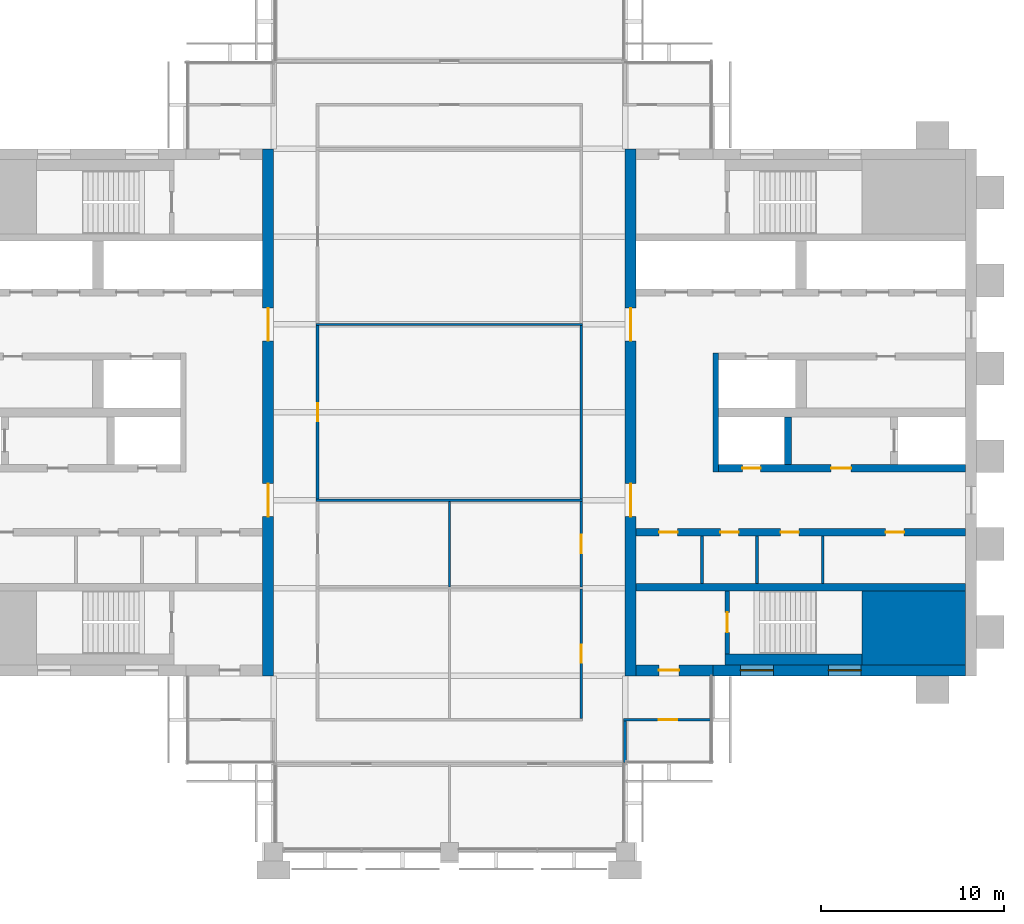
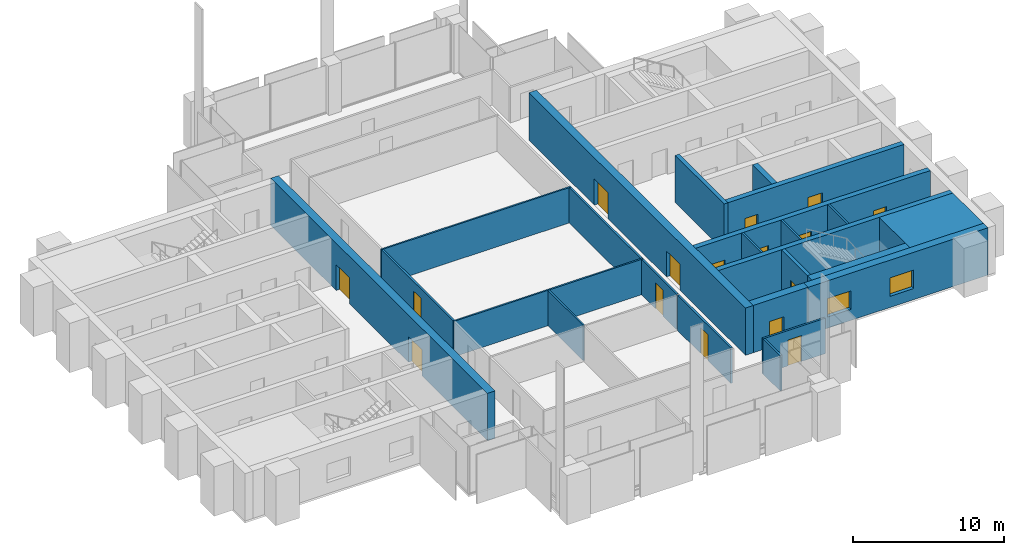
# One storey, part 9 of 12: 24 walls, 16 doors, 2 windows, 18 openings.
"""IFC4 building model written with IfcOpenShell, lengths in metres."""

from ifc_helpers import new_model, si_unit, direction, frame, frame_2d, origin, place, context, subcontext, project, spatial, rectangle, extrude, material, layer, layer_set, type_object, element, fill, save


model = new_model("IFC4")

# Units and contexts
model_context = context("Model", 3, precision=1e-05, world=origin(), true_north=direction((0.0, 1.0)))
body_context = subcontext(model_context, "Body", "Model", "MODEL_VIEW")
ifc_project = project(units=[si_unit("LENGTHUNIT", "METRE"), si_unit("AREAUNIT", "SQUARE_METRE"), si_unit("VOLUMEUNIT", "CUBIC_METRE"), si_unit("PLANEANGLEUNIT", "RADIAN"), si_unit("MASSUNIT", "GRAM", prefix="KILO")], contexts=[model_context])

# Site, building, storey
site_placement = place(None, origin())
site = spatial("IfcSite", under=ifc_project, at=site_placement, CompositionType="ELEMENT")
building_placement = place(site_placement, origin())
building = spatial("IfcBuilding", under=site, at=building_placement, Name="Baori Bourse Tower", CompositionType="ELEMENT")
storey_placement = place(building_placement, frame((0.0, 0.0, 342.300048828125)))
storey = spatial("IfcBuildingStorey", under=building, at=storey_placement, Name="L76", CompositionType="ELEMENT", Elevation=342.300048828125)

# Walls
ifc_material_1 = material(Name="Concrete f'c 40 MPa", Category="concrete")
wall_type_1 = type_object("IfcWallType", Name="Core corner block f'c 40", PredefinedType="SHEAR", material=ifc_material_1)
wall_1_placement = place(storey_placement, frame((51.35009765625, 12.22509765625, 0.0), z_axis=(0.0, 0.0, 1.0), x_axis=(1.0, 0.0, 0.0)))
element("IfcWall", 1, at=wall_1_placement, inside=storey, type_object=wall_type_1, Name="Core wall E05", PredefinedType="SHEAR", context=body_context, shape_type="SweptSolid", body=[
    extrude(rectangle(XDim=5.64990234375, YDim=4.050048828125, at=frame_2d((2.824951171875, 0.0))), origin(), (0.0, 0.0, 1.0), 3.83984375),
])
ifc_material_2 = material(Name="Blockwork partition", Category="masonry")
ifc_layer_1 = layer(ifc_material_2, 0.14990234375)
ifc_layer_set_1 = layer_set([ifc_layer_1], Name="Core partition 150")
wall_type_2 = type_object("IfcWallType", Name="Core partition 150", PredefinedType="PARTITIONING", material=ifc_layer_set_1)
for number, where, z_axis, x_axis, name in (
    (2, (49.199951171875, 14.64990234375, 0.0), (0.0, 0.0, 1.0), (0.0, 1.0, 0.0), "Partition wall E09"),
    (3, (45.60009765625, 14.64990234375, 0.0), (0.0, 0.0, 1.0), (0.0, 1.0, 0.0), "Partition wall E10"),
    (4, (42.60009765625, 14.64990234375, 0.0), (0.0, 0.0, 1.0), (0.0, 1.0, 0.0), "Partition wall E11"),
):
    element("IfcWall", number, at=place(storey_placement, frame(where, z_axis=z_axis, x_axis=x_axis)), inside=storey, type_object=wall_type_2, Name=name, PredefinedType="PARTITIONING", context=body_context, shape_type="SweptSolid", body=[
        extrude(rectangle(XDim=2.60009765625, YDim=0.14990234375, at=frame_2d((1.300048828125, 0.0))), origin(), (0.0, 0.0, 1.0), 3.83984375),
    ])

# Wall, openings, doors
ifc_material_3 = material(Name="Concrete f'c 40 MPa", Category="concrete")
ifc_layer_2 = layer(ifc_material_3, 0.60009765625)
ifc_layer_set_2 = layer_set([ifc_layer_2], Name="Core wall 600 f'c 40")
wall_type_3 = type_object("IfcWallType", Name="Core wall 600 f'c 40", PredefinedType="SHEAR", material=ifc_layer_set_2)
wall_2_placement = place(storey_placement, frame((18.89990234375, 38.39990234375, 0.0), z_axis=(0.0, 0.0, 1.0), x_axis=(0.0, -1.0, 0.0)))
wall_2 = element("IfcWall", 5, at=wall_2_placement, inside=storey, type_object=wall_type_3, Name="Core wall W04", PredefinedType="SHEAR", context=body_context, shape_type="SweptSolid", body=[
    extrude(rectangle(XDim=28.7998046875, YDim=0.60009765625, at=frame_2d((14.39990234375, 0.0))), origin(), (0.0, 0.0, 1.0), 3.83984375),
])
opening_1_placement = place(wall_2_placement, frame((18.300048828125, 0.0, 0.0)))
opening_1 = element("IfcOpeningElement", 6, at=opening_1_placement, cuts=wall_2, Name="Opening L76-D107", PredefinedType="OPENING", context=body_context, shape_type="SweptSolid", body=[
    extrude(rectangle(XDim=1.800048828125, YDim=2.10009765625, at=frame_2d((0.89990234375, 1.050048828125))), frame((0.0, 0.31005859375, 0.0), z_axis=(0.0, -1.0, 0.0), x_axis=(1.0, 0.0, 0.0)), (0.0, 0.0, 1.0), 0.6201171875),
])
opening_2_placement = place(wall_2_placement, frame((8.699951171875, 0.0, 0.0)))
opening_2 = element("IfcOpeningElement", 7, at=opening_2_placement, cuts=wall_2, Name="Opening L76-D108", PredefinedType="OPENING", context=body_context, shape_type="SweptSolid", body=[
    extrude(rectangle(XDim=1.800048828125, YDim=2.10009765625, at=frame_2d((0.89990234375, 1.050048828125))), frame((0.0, 0.31005859375, 0.0), z_axis=(0.0, -1.0, 0.0), x_axis=(1.0, 0.0, 0.0)), (0.0, 0.0, 1.0), 0.6201171875),
])
ifc_material_4 = material(Name="Painted steel door", Category="steel")
door_type_1 = type_object("IfcDoorType", Name="Core lobby door 1800", OperationType="DOUBLE_DOOR_SINGLE_SWING", PredefinedType="DOOR", material=ifc_material_4)
door_1_placement = place(opening_1_placement, origin())
door_1 = element("IfcDoor", 8, at=door_1_placement, inside=storey, type_object=door_type_1, Name="Lobby door W L76", OperationType="DOUBLE_DOOR_SINGLE_SWING", OverallHeight=2.10009765625, OverallWidth=1.800048828125, PredefinedType="DOOR", context=body_context, shape_type="SweptSolid", body=[
    extrude(rectangle(XDim=1.800048828125, YDim=2.10009765625, at=frame_2d((0.89990234375, 1.050048828125))), frame((0.0, 0.02490234375, 0.0), z_axis=(0.0, -1.0, 0.0), x_axis=(1.0, 0.0, 0.0)), (0.0, 0.0, 1.0), 0.050048828125),
])
fill(opening_1, door_1)
door_2_placement = place(opening_2_placement, origin())
door_2 = element("IfcDoor", 9, at=door_2_placement, inside=storey, type_object=door_type_1, Name="Lobby door W L76", OperationType="DOUBLE_DOOR_SINGLE_SWING", OverallHeight=2.10009765625, OverallWidth=1.800048828125, PredefinedType="DOOR", context=body_context, shape_type="SweptSolid", body=[
    extrude(rectangle(XDim=1.800048828125, YDim=2.10009765625, at=frame_2d((0.89990234375, 1.050048828125))), frame((0.0, 0.02490234375, 0.0), z_axis=(0.0, -1.0, 0.0), x_axis=(1.0, 0.0, 0.0)), (0.0, 0.0, 1.0), 0.050048828125),
])
fill(opening_2, door_2)

# Wall, openings, windows
wall_3_placement = place(storey_placement, frame((57.0, 9.89990234375, 0.0), z_axis=(0.0, 0.0, 1.0), x_axis=(-1.0, 0.0, 0.0)))
wall_3 = element("IfcWall", 10, at=wall_3_placement, inside=storey, type_object=wall_type_3, Name="Core wall E02", PredefinedType="SHEAR", context=body_context, shape_type="SweptSolid", body=[
    extrude(rectangle(XDim=13.800048828125, YDim=0.60009765625, at=frame_2d((6.89990234375, 0.0))), origin(), (0.0, 0.0, 1.0), 3.83984375),
])
opening_3_placement = place(wall_3_placement, frame((5.699951171875, 0.0, 0.89990234375)))
opening_3 = element("IfcOpeningElement", 11, at=opening_3_placement, cuts=wall_3, Name="Opening L76-KW203", PredefinedType="OPENING", context=body_context, shape_type="SweptSolid", body=[
    extrude(rectangle(XDim=1.800048828125, YDim=1.5, at=frame_2d((0.89990234375, 0.75))), frame((0.0, 0.31005859375, 0.0), z_axis=(0.0, -1.0, 0.0), x_axis=(1.0, 0.0, 0.0)), (0.0, 0.0, 1.0), 0.6201171875),
])
opening_4_placement = place(wall_3_placement, frame((10.5, 0.0, 0.89990234375)))
opening_4 = element("IfcOpeningElement", 12, at=opening_4_placement, cuts=wall_3, Name="Opening L76-KW204", PredefinedType="OPENING", context=body_context, shape_type="SweptSolid", body=[
    extrude(rectangle(XDim=1.800048828125, YDim=1.5, at=frame_2d((0.89990234375, 0.75))), frame((0.0, 0.31005859375, 0.0), z_axis=(0.0, -1.0, 0.0), x_axis=(1.0, 0.0, 0.0)), (0.0, 0.0, 1.0), 0.6201171875),
])
ifc_material_5 = material(Name="Pale anodised aluminium", Category="aluminium")
window_type = type_object("IfcWindowType", Name="Stair window 1800 x 1500", PartitioningType="SINGLE_PANEL", PredefinedType="WINDOW", material=ifc_material_5)
window_1_placement = place(opening_3_placement, origin())
window_1 = element("IfcWindow", 13, at=window_1_placement, inside=storey, type_object=window_type, Name="Stair window E L76 3", OverallHeight=1.5, OverallWidth=1.800048828125, PartitioningType="SINGLE_PANEL", PredefinedType="WINDOW", context=body_context, shape_type="SweptSolid", body=[
    extrude(rectangle(XDim=1.800048828125, YDim=1.5, at=frame_2d((0.89990234375, 0.75))), frame((0.0, 0.030029296875, 0.0), z_axis=(0.0, -1.0, 0.0), x_axis=(1.0, 0.0, 0.0)), (0.0, 0.0, 1.0), 0.06005859375),
])
fill(opening_3, window_1)
window_2_placement = place(opening_4_placement, origin())
window_2 = element("IfcWindow", 14, at=window_2_placement, inside=storey, type_object=window_type, Name="Stair window E L76 4", OverallHeight=1.5, OverallWidth=1.800048828125, PartitioningType="SINGLE_PANEL", PredefinedType="WINDOW", context=body_context, shape_type="SweptSolid", body=[
    extrude(rectangle(XDim=1.800048828125, YDim=1.5, at=frame_2d((0.89990234375, 0.75))), frame((0.0, 0.030029296875, 0.0), z_axis=(0.0, -1.0, 0.0), x_axis=(1.0, 0.0, 0.0)), (0.0, 0.0, 1.0), 0.06005859375),
])
fill(opening_4, window_2)

# Wall, opening, door
wall_4_placement = place(storey_placement, frame((43.199951171875, 9.89990234375, 0.0), z_axis=(0.0, 0.0, 1.0), x_axis=(-1.0, 0.0, 0.0)))
wall_4 = element("IfcWall", 15, at=wall_4_placement, inside=storey, type_object=wall_type_3, Name="Core wall E03", PredefinedType="SHEAR", context=body_context, shape_type="SweptSolid", body=[
    extrude(rectangle(XDim=4.199951171875, YDim=0.60009765625, at=frame_2d((2.10009765625, 0.0))), origin(), (0.0, 0.0, 1.0), 3.83984375),
])
opening_5_placement = place(wall_4_placement, frame((1.85009765625, 0.0, 0.0)))
opening_5 = element("IfcOpeningElement", 16, at=opening_5_placement, cuts=wall_4, Name="Opening L76-D202", PredefinedType="OPENING", context=body_context, shape_type="SweptSolid", body=[
    extrude(rectangle(XDim=1.10009765625, YDim=2.10009765625, at=frame_2d((0.550048828125, 1.050048828125))), frame((0.0, 0.31005859375, 0.0), z_axis=(0.0, -1.0, 0.0), x_axis=(1.0, 0.0, 0.0)), (0.0, 0.0, 1.0), 0.6201171875),
])
ifc_material_6 = material(Name="Painted steel door", Category="steel")
door_type_2 = type_object("IfcDoorType", Name="Stair door 1100", OperationType="SINGLE_SWING_LEFT", PredefinedType="DOOR", material=ifc_material_6)
door_3_placement = place(opening_5_placement, origin())
door_3 = element("IfcDoor", 17, at=door_3_placement, inside=storey, type_object=door_type_2, Name="Stair vestibule door A E L76", OperationType="SINGLE_SWING_LEFT", OverallHeight=2.10009765625, OverallWidth=1.10009765625, PredefinedType="DOOR", context=body_context, shape_type="SweptSolid", body=[
    extrude(rectangle(XDim=1.10009765625, YDim=2.10009765625, at=frame_2d((0.550048828125, 1.050048828125))), frame((0.0, 0.02490234375, 0.0), z_axis=(0.0, -1.0, 0.0), x_axis=(1.0, 0.0, 0.0)), (0.0, 0.0, 1.0), 0.050048828125),
])
fill(opening_5, door_3)

# Wall, openings, doors
wall_5_placement = place(storey_placement, frame((38.699951171875, 9.60009765625, 0.0), z_axis=(0.0, 0.0, 1.0), x_axis=(0.0, 1.0, 0.0)))
wall_5 = element("IfcWall", 18, at=wall_5_placement, inside=storey, type_object=wall_type_3, Name="Core wall E04", PredefinedType="SHEAR", context=body_context, shape_type="SweptSolid", body=[
    extrude(rectangle(XDim=28.7998046875, YDim=0.60009765625, at=frame_2d((14.39990234375, 0.0))), origin(), (0.0, 0.0, 1.0), 3.83984375),
])
opening_6_placement = place(wall_5_placement, frame((8.699951171875, 0.0, 0.0)))
opening_6 = element("IfcOpeningElement", 19, at=opening_6_placement, cuts=wall_5, Name="Opening L76-D207", PredefinedType="OPENING", context=body_context, shape_type="SweptSolid", body=[
    extrude(rectangle(XDim=1.800048828125, YDim=2.10009765625, at=frame_2d((0.89990234375, 1.050048828125))), frame((0.0, 0.31005859375, 0.0), z_axis=(0.0, -1.0, 0.0), x_axis=(1.0, 0.0, 0.0)), (0.0, 0.0, 1.0), 0.6201171875),
])
opening_7_placement = place(wall_5_placement, frame((18.300048828125, 0.0, 0.0)))
opening_7 = element("IfcOpeningElement", 20, at=opening_7_placement, cuts=wall_5, Name="Opening L76-D208", PredefinedType="OPENING", context=body_context, shape_type="SweptSolid", body=[
    extrude(rectangle(XDim=1.800048828125, YDim=2.10009765625, at=frame_2d((0.89990234375, 1.050048828125))), frame((0.0, 0.31005859375, 0.0), z_axis=(0.0, -1.0, 0.0), x_axis=(1.0, 0.0, 0.0)), (0.0, 0.0, 1.0), 0.6201171875),
])
door_4_placement = place(opening_6_placement, origin())
door_4 = element("IfcDoor", 21, at=door_4_placement, inside=storey, type_object=door_type_1, Name="Lobby door E L76", OperationType="DOUBLE_DOOR_SINGLE_SWING", OverallHeight=2.10009765625, OverallWidth=1.800048828125, PredefinedType="DOOR", context=body_context, shape_type="SweptSolid", body=[
    extrude(rectangle(XDim=1.800048828125, YDim=2.10009765625, at=frame_2d((0.89990234375, 1.050048828125))), frame((0.0, 0.02490234375, 0.0), z_axis=(0.0, -1.0, 0.0), x_axis=(1.0, 0.0, 0.0)), (0.0, 0.0, 1.0), 0.050048828125),
])
fill(opening_6, door_4)
door_5_placement = place(opening_7_placement, origin())
door_5 = element("IfcDoor", 22, at=door_5_placement, inside=storey, type_object=door_type_1, Name="Lobby door E L76", OperationType="DOUBLE_DOOR_SINGLE_SWING", OverallHeight=2.10009765625, OverallWidth=1.800048828125, PredefinedType="DOOR", context=body_context, shape_type="SweptSolid", body=[
    extrude(rectangle(XDim=1.800048828125, YDim=2.10009765625, at=frame_2d((0.89990234375, 1.050048828125))), frame((0.0, 0.02490234375, 0.0), z_axis=(0.0, -1.0, 0.0), x_axis=(1.0, 0.0, 0.0)), (0.0, 0.0, 1.0), 0.050048828125),
])
fill(opening_7, door_5)

# Wall, opening, door
ifc_material_7 = material(Name="Gypsum board partition")
ifc_layer_3 = layer(ifc_material_7, 0.14990234375)
ifc_layer_set_3 = layer_set([ifc_layer_3], Name="Corridor partition 150")
wall_type_4 = type_object("IfcWallType", Name="Corridor partition 150", PredefinedType="PARTITIONING", material=ifc_layer_set_3)
wall_6_placement = place(storey_placement, frame((38.324951171875, 7.199951171875, 0.0), z_axis=(0.0, 0.0, 1.0), x_axis=(1.0, 0.0, 0.0)))
wall_6 = element("IfcWall", 23, at=wall_6_placement, inside=storey, type_object=wall_type_4, Name="Partition", PredefinedType="PARTITIONING", context=body_context, shape_type="SweptSolid", body=[
    extrude(rectangle(XDim=4.775146484375, YDim=0.14990234375, at=frame_2d((2.3876953125, 0.0))), origin(), (0.0, 0.0, 1.0), 2.86962890625),
])
opening_8_placement = place(wall_6_placement, frame((1.925048828125, 0.0, 0.0)))
opening_8 = element("IfcOpeningElement", 24, at=opening_8_placement, cuts=wall_6, Name="Opening L76-D04", PredefinedType="OPENING", context=body_context, shape_type="SweptSolid", body=[
    extrude(rectangle(XDim=1.0, YDim=2.10009765625, at=frame_2d((0.5, 1.050048828125))), frame((0.0, 0.0849609375, 0.0), z_axis=(0.0, -1.0, 0.0), x_axis=(1.0, 0.0, 0.0)), (0.0, 0.0, 1.0), 0.169921875),
])
ifc_material_8 = material(Name="Timber door leaf", Category="wood")
door_type_3 = type_object("IfcDoorType", Name="Door 1000 x 2100", OperationType="SINGLE_SWING_LEFT", PredefinedType="DOOR", material=ifc_material_8)
door_6_placement = place(opening_8_placement, origin())
door_6 = element("IfcDoor", 25, at=door_6_placement, inside=storey, type_object=door_type_3, Name="Door", OperationType="SINGLE_SWING_RIGHT", OverallHeight=2.10009765625, OverallWidth=1.0, PredefinedType="DOOR", context=body_context, shape_type="SweptSolid", body=[
    extrude(rectangle(XDim=1.0, YDim=2.10009765625, at=frame_2d((0.5, 1.050048828125))), frame((0.0, 0.02490234375, 0.0), z_axis=(0.0, -1.0, 0.0), x_axis=(1.0, 0.0, 0.0)), (0.0, 0.0, 1.0), 0.050048828125),
])
fill(opening_8, door_6)

wall_7_placement = place(storey_placement, frame((21.60009765625, 19.262451171875, 0.0), z_axis=(0.0, 0.0, 1.0), x_axis=(0.0, 1.0, 0.0)))
wall_7 = element("IfcWall", 26, at=wall_7_placement, inside=storey, type_object=wall_type_4, Name="Partition", PredefinedType="PARTITIONING", context=body_context, shape_type="SweptSolid", body=[
    extrude(rectangle(XDim=9.47509765625, YDim=0.14990234375, at=frame_2d((4.737548828125, 0.0))), origin(), (0.0, 0.0, 1.0), 2.86962890625),
])
opening_9_placement = place(wall_7_placement, frame((4.237548828125, 0.0, 0.0)))
opening_9 = element("IfcOpeningElement", 27, at=opening_9_placement, cuts=wall_7, Name="Opening L76-D11", PredefinedType="OPENING", context=body_context, shape_type="SweptSolid", body=[
    extrude(rectangle(XDim=1.0, YDim=2.10009765625, at=frame_2d((0.5, 1.050048828125))), frame((0.0, 0.0849609375, 0.0), z_axis=(0.0, -1.0, 0.0), x_axis=(1.0, 0.0, 0.0)), (0.0, 0.0, 1.0), 0.169921875),
])
door_7_placement = place(opening_9_placement, origin())
door_7 = element("IfcDoor", 28, at=door_7_placement, inside=storey, type_object=door_type_3, Name="Door", OperationType="SINGLE_SWING_LEFT", OverallHeight=2.10009765625, OverallWidth=1.0, PredefinedType="DOOR", context=body_context, shape_type="SweptSolid", body=[
    extrude(rectangle(XDim=1.0, YDim=2.10009765625, at=frame_2d((0.5, 1.050048828125))), frame((0.0, 0.02490234375, 0.0), z_axis=(0.0, -1.0, 0.0), x_axis=(1.0, 0.0, 0.0)), (0.0, 0.0, 1.0), 0.050048828125),
])
fill(opening_9, door_7)

wall_8_placement = place(storey_placement, frame((36.0, 7.27490234375, 0.0), z_axis=(0.0, 0.0, 1.0), x_axis=(0.0, 1.0, 0.0)))
wall_8 = element("IfcWall", 29, at=wall_8_placement, inside=storey, type_object=wall_type_4, Name="Partition", PredefinedType="PARTITIONING", context=body_context, shape_type="SweptSolid", body=[
    extrude(rectangle(XDim=7.0625, YDim=0.14990234375, at=frame_2d((3.53125, 0.0))), origin(), (0.0, 0.0, 1.0), 2.86962890625),
])
opening_10_placement = place(wall_8_placement, frame((3.03125, 0.0, 0.0)))
opening_10 = element("IfcOpeningElement", 30, at=opening_10_placement, cuts=wall_8, Name="Opening L76-D13", PredefinedType="OPENING", context=body_context, shape_type="SweptSolid", body=[
    extrude(rectangle(XDim=1.0, YDim=2.10009765625, at=frame_2d((0.5, 1.050048828125))), frame((0.0, 0.0849609375, 0.0), z_axis=(0.0, -1.0, 0.0), x_axis=(1.0, 0.0, 0.0)), (0.0, 0.0, 1.0), 0.169921875),
])
door_8_placement = place(opening_10_placement, origin())
door_8 = element("IfcDoor", 31, at=door_8_placement, inside=storey, type_object=door_type_3, Name="Door", OperationType="SINGLE_SWING_RIGHT", OverallHeight=2.10009765625, OverallWidth=1.0, PredefinedType="DOOR", context=body_context, shape_type="SweptSolid", body=[
    extrude(rectangle(XDim=1.0, YDim=2.10009765625, at=frame_2d((0.5, 1.050048828125))), frame((0.0, 0.02490234375, 0.0), z_axis=(0.0, -1.0, 0.0), x_axis=(1.0, 0.0, 0.0)), (0.0, 0.0, 1.0), 0.050048828125),
])
fill(opening_10, door_8)

wall_9_placement = place(storey_placement, frame((36.0, 14.46240234375, 0.0), z_axis=(0.0, 0.0, 1.0), x_axis=(0.0, 1.0, 0.0)))
wall_9 = element("IfcWall", 32, at=wall_9_placement, inside=storey, type_object=wall_type_4, Name="Partition", PredefinedType="PARTITIONING", context=body_context, shape_type="SweptSolid", body=[
    extrude(rectangle(XDim=4.675048828125, YDim=0.14990234375, at=frame_2d((2.33740234375, 0.0))), origin(), (0.0, 0.0, 1.0), 2.86962890625),
])
opening_11_placement = place(wall_9_placement, frame((1.83740234375, 0.0, 0.0)))
opening_11 = element("IfcOpeningElement", 33, at=opening_11_placement, cuts=wall_9, Name="Opening L76-D14", PredefinedType="OPENING", context=body_context, shape_type="SweptSolid", body=[
    extrude(rectangle(XDim=1.0, YDim=2.10009765625, at=frame_2d((0.5, 1.050048828125))), frame((0.0, 0.0849609375, 0.0), z_axis=(0.0, -1.0, 0.0), x_axis=(1.0, 0.0, 0.0)), (0.0, 0.0, 1.0), 0.169921875),
])
door_9_placement = place(opening_11_placement, origin())
door_9 = element("IfcDoor", 34, at=door_9_placement, inside=storey, type_object=door_type_3, Name="Door", OperationType="SINGLE_SWING_LEFT", OverallHeight=2.10009765625, OverallWidth=1.0, PredefinedType="DOOR", context=body_context, shape_type="SweptSolid", body=[
    extrude(rectangle(XDim=1.0, YDim=2.10009765625, at=frame_2d((0.5, 1.050048828125))), frame((0.0, 0.02490234375, 0.0), z_axis=(0.0, -1.0, 0.0), x_axis=(1.0, 0.0, 0.0)), (0.0, 0.0, 1.0), 0.050048828125),
])
fill(opening_11, door_9)

# Walls
wall_10_placement = place(storey_placement, frame((36.0, 19.262451171875, 0.0), z_axis=(0.0, 0.0, 1.0), x_axis=(0.0, 1.0, 0.0)))
element("IfcWall", 35, at=wall_10_placement, inside=storey, type_object=wall_type_4, Name="Partition", PredefinedType="PARTITIONING", context=body_context, shape_type="SweptSolid", body=[
    extrude(rectangle(XDim=9.47509765625, YDim=0.14990234375, at=frame_2d((4.737548828125, 0.0))), origin(), (0.0, 0.0, 1.0), 2.86962890625),
])
wall_11_placement = place(storey_placement, frame((38.39990234375, 4.875, 0.0), z_axis=(0.0, 0.0, 1.0), x_axis=(0.0, 1.0, 0.0)))
element("IfcWall", 36, at=wall_11_placement, inside=storey, type_object=wall_type_4, Name="Partition", PredefinedType="PARTITIONING", context=body_context, shape_type="SweptSolid", body=[
    extrude(rectangle(XDim=2.25, YDim=0.14990234375, at=frame_2d((1.125, 0.0))), origin(), (0.0, 0.0, 1.0), 2.86962890625),
])
ifc_material_9 = material(Name="Gypsum board partition")
ifc_layer_4 = layer(ifc_material_9, 0.125)
ifc_layer_set_4 = layer_set([ifc_layer_4], Name="Partition 125")
wall_type_5 = type_object("IfcWallType", Name="Partition 125", PredefinedType="PARTITIONING", material=ifc_layer_set_4)
for number, where, z_axis, x_axis, name in (
    (37, (21.52490234375, 19.199951171875, 0.0), (0.0, 0.0, 1.0), (1.0, 0.0, 0.0), "Partition"),
    (38, (21.52490234375, 28.800048828125, 0.0), (0.0, 0.0, 1.0), (1.0, 0.0, 0.0), "Partition"),
):
    element("IfcWall", number, at=place(storey_placement, frame(where, z_axis=z_axis, x_axis=x_axis)), inside=storey, type_object=wall_type_5, Name=name, PredefinedType="PARTITIONING", context=body_context, shape_type="SweptSolid", body=[
        extrude(rectangle(XDim=14.550048828125, YDim=0.125, at=frame_2d((7.27490234375, 0.0))), origin(), (0.0, 0.0, 1.0), 2.86962890625),
    ])
wall_12_placement = place(storey_placement, frame((28.800048828125, 14.46240234375, 0.0), z_axis=(0.0, 0.0, 1.0), x_axis=(0.0, 1.0, 0.0)))
element("IfcWall", 39, at=wall_12_placement, inside=storey, type_object=wall_type_5, Name="Partition", PredefinedType="PARTITIONING", context=body_context, shape_type="SweptSolid", body=[
    extrude(rectangle(XDim=4.675048828125, YDim=0.125, at=frame_2d((2.33740234375, 0.0))), origin(), (0.0, 0.0, 1.0), 2.86962890625),
])

# Wall, opening, door
ifc_material_10 = material(Name="Concrete f'c 40 MPa", Category="concrete")
ifc_layer_5 = layer(ifc_material_10, 0.25)
ifc_layer_set_5 = layer_set([ifc_layer_5], Name="Shaft wall 250 f'c 40")
wall_type_6 = type_object("IfcWallType", Name="Shaft wall 250 f'c 40", PredefinedType="SHEAR", material=ifc_layer_set_5)
wall_13_placement = place(storey_placement, frame((43.97509765625, 10.800048828125, 0.0), z_axis=(0.0, 0.0, 1.0), x_axis=(0.0, 1.0, 0.0)))
wall_13 = element("IfcWall", 40, at=wall_13_placement, inside=storey, type_object=wall_type_6, Name="Core wall E07", PredefinedType="SHEAR", context=body_context, shape_type="SweptSolid", body=[
    extrude(rectangle(XDim=3.449951171875, YDim=0.25, at=frame_2d((1.72509765625, 0.0))), origin(), (0.0, 0.0, 1.0), 3.83984375),
])
opening_12_placement = place(wall_13_placement, frame((1.175048828125, 0.0, 0.0)))
opening_12 = element("IfcOpeningElement", 41, at=opening_12_placement, cuts=wall_13, Name="Opening L76-D201", PredefinedType="OPENING", context=body_context, shape_type="SweptSolid", body=[
    extrude(rectangle(XDim=1.10009765625, YDim=2.10009765625, at=frame_2d((0.550048828125, 1.050048828125))), frame((0.0, 0.135009765625, 0.0), z_axis=(0.0, -1.0, 0.0), x_axis=(1.0, 0.0, 0.0)), (0.0, 0.0, 1.0), 0.27001953125),
])
door_10_placement = place(opening_12_placement, origin())
door_10 = element("IfcDoor", 42, at=door_10_placement, inside=storey, type_object=door_type_2, Name="Stair door A E L76", OperationType="SINGLE_SWING_LEFT", OverallHeight=2.10009765625, OverallWidth=1.10009765625, PredefinedType="DOOR", context=body_context, shape_type="SweptSolid", body=[
    extrude(rectangle(XDim=1.10009765625, YDim=2.10009765625, at=frame_2d((0.550048828125, 1.050048828125))), frame((0.0, 0.02490234375, 0.0), z_axis=(0.0, -1.0, 0.0), x_axis=(1.0, 0.0, 0.0)), (0.0, 0.0, 1.0), 0.050048828125),
])
fill(opening_12, door_10)

# Walls
ifc_material_11 = material(Name="Concrete f'c 40 MPa", Category="concrete")
ifc_layer_6 = layer(ifc_material_11, 0.300048828125)
ifc_layer_set_6 = layer_set([ifc_layer_6], Name="Shaft wall 300 f'c 40")
wall_type_7 = type_object("IfcWallType", Name="Shaft wall 300 f'c 40", PredefinedType="SHEAR", material=ifc_layer_set_6)
wall_14_placement = place(storey_placement, frame((43.35009765625, 20.75, 0.0), z_axis=(0.0, 0.0, 1.0), x_axis=(0.0, 1.0, 0.0)))
element("IfcWall", 43, at=wall_14_placement, inside=storey, type_object=wall_type_7, Name="Core wall E14", PredefinedType="SHEAR", context=body_context, shape_type="SweptSolid", body=[
    extrude(rectangle(XDim=6.5, YDim=0.300048828125, at=frame_2d((3.25, 0.0))), origin(), (0.0, 0.0, 1.0), 3.83984375),
])
ifc_material_12 = material(Name="Concrete f'c 40 MPa", Category="concrete")
ifc_layer_7 = layer(ifc_material_12, 0.39990234375)
ifc_layer_set_7 = layer_set([ifc_layer_7], Name="Shaft wall 400 f'c 40")
wall_type_8 = type_object("IfcWallType", Name="Shaft wall 400 f'c 40", PredefinedType="SHEAR", material=ifc_layer_set_7)
wall_15_placement = place(storey_placement, frame((39.0, 14.449951171875, 0.0), z_axis=(0.0, 0.0, 1.0), x_axis=(1.0, 0.0, 0.0)))
element("IfcWall", 44, at=wall_15_placement, inside=storey, type_object=wall_type_8, Name="Core wall E08", PredefinedType="SHEAR", context=body_context, shape_type="SweptSolid", body=[
    extrude(rectangle(XDim=18.0, YDim=0.39990234375, at=frame_2d((9.0, 0.0))), origin(), (0.0, 0.0, 1.0), 3.83984375),
])

# Wall, openings, doors
wall_16_placement = place(storey_placement, frame((39.0, 17.449951171875, 0.0), z_axis=(0.0, 0.0, 1.0), x_axis=(1.0, 0.0, 0.0)))
wall_16 = element("IfcWall", 45, at=wall_16_placement, inside=storey, type_object=wall_type_8, Name="Core wall E12", PredefinedType="SHEAR", context=body_context, shape_type="SweptSolid", body=[
    extrude(rectangle(XDim=18.0, YDim=0.39990234375, at=frame_2d((9.0, 0.0))), origin(), (0.0, 0.0, 1.0), 3.83984375),
])
opening_13_placement = place(wall_16_placement, frame((13.637451171875, 0.0, 0.0)))
opening_13 = element("IfcOpeningElement", 46, at=opening_13_placement, cuts=wall_16, Name="Opening L76-D209", PredefinedType="OPENING", context=body_context, shape_type="SweptSolid", body=[
    extrude(rectangle(XDim=1.0, YDim=2.10009765625, at=frame_2d((0.5, 1.050048828125))), frame((0.0, 0.2099609375, 0.0), z_axis=(0.0, -1.0, 0.0), x_axis=(1.0, 0.0, 0.0)), (0.0, 0.0, 1.0), 0.419921875),
])
opening_14_placement = place(wall_16_placement, frame((7.89990234375, 0.0, 0.0)))
opening_14 = element("IfcOpeningElement", 47, at=opening_14_placement, cuts=wall_16, Name="Opening L76-D210", PredefinedType="OPENING", context=body_context, shape_type="SweptSolid", body=[
    extrude(rectangle(XDim=1.0, YDim=2.10009765625, at=frame_2d((0.5, 1.050048828125))), frame((0.0, 0.2099609375, 0.0), z_axis=(0.0, -1.0, 0.0), x_axis=(1.0, 0.0, 0.0)), (0.0, 0.0, 1.0), 0.419921875),
])
opening_15_placement = place(wall_16_placement, frame((4.60009765625, 0.0, 0.0)))
opening_15 = element("IfcOpeningElement", 48, at=opening_15_placement, cuts=wall_16, Name="Opening L76-D211", PredefinedType="OPENING", context=body_context, shape_type="SweptSolid", body=[
    extrude(rectangle(XDim=1.0, YDim=2.10009765625, at=frame_2d((0.5, 1.050048828125))), frame((0.0, 0.2099609375, 0.0), z_axis=(0.0, -1.0, 0.0), x_axis=(1.0, 0.0, 0.0)), (0.0, 0.0, 1.0), 0.419921875),
])
opening_16_placement = place(wall_16_placement, frame((1.262451171875, 0.0, 0.0)))
opening_16 = element("IfcOpeningElement", 49, at=opening_16_placement, cuts=wall_16, Name="Opening L76-D212", PredefinedType="OPENING", context=body_context, shape_type="SweptSolid", body=[
    extrude(rectangle(XDim=1.0, YDim=2.10009765625, at=frame_2d((0.5, 1.050048828125))), frame((0.0, 0.2099609375, 0.0), z_axis=(0.0, -1.0, 0.0), x_axis=(1.0, 0.0, 0.0)), (0.0, 0.0, 1.0), 0.419921875),
])
ifc_material_13 = material(Name="Painted steel door", Category="steel")
door_type_4 = type_object("IfcDoorType", Name="Core door 1000", OperationType="SINGLE_SWING_LEFT", PredefinedType="DOOR", material=ifc_material_13)
door_11_placement = place(opening_13_placement, origin())
door_11 = element("IfcDoor", 50, at=door_11_placement, inside=storey, type_object=door_type_4, Name="Men'S Wc door E L76", OperationType="SINGLE_SWING_LEFT", OverallHeight=2.10009765625, OverallWidth=1.0, PredefinedType="DOOR", context=body_context, shape_type="SweptSolid", body=[
    extrude(rectangle(XDim=1.0, YDim=2.10009765625, at=frame_2d((0.5, 1.050048828125))), frame((0.0, 0.02490234375, 0.0), z_axis=(0.0, -1.0, 0.0), x_axis=(1.0, 0.0, 0.0)), (0.0, 0.0, 1.0), 0.050048828125),
])
fill(opening_13, door_11)
door_12_placement = place(opening_14_placement, origin())
door_12 = element("IfcDoor", 51, at=door_12_placement, inside=storey, type_object=door_type_4, Name="Women'S Wc door E L76", OperationType="SINGLE_SWING_LEFT", OverallHeight=2.10009765625, OverallWidth=1.0, PredefinedType="DOOR", context=body_context, shape_type="SweptSolid", body=[
    extrude(rectangle(XDim=1.0, YDim=2.10009765625, at=frame_2d((0.5, 1.050048828125))), frame((0.0, 0.02490234375, 0.0), z_axis=(0.0, -1.0, 0.0), x_axis=(1.0, 0.0, 0.0)), (0.0, 0.0, 1.0), 0.050048828125),
])
fill(opening_14, door_12)
door_13_placement = place(opening_15_placement, origin())
door_13 = element("IfcDoor", 52, at=door_13_placement, inside=storey, type_object=door_type_4, Name="Accessible Wc door E L76", OperationType="SINGLE_SWING_LEFT", OverallHeight=2.10009765625, OverallWidth=1.0, PredefinedType="DOOR", context=body_context, shape_type="SweptSolid", body=[
    extrude(rectangle(XDim=1.0, YDim=2.10009765625, at=frame_2d((0.5, 1.050048828125))), frame((0.0, 0.02490234375, 0.0), z_axis=(0.0, -1.0, 0.0), x_axis=(1.0, 0.0, 0.0)), (0.0, 0.0, 1.0), 0.050048828125),
])
fill(opening_15, door_13)
door_14_placement = place(opening_16_placement, origin())
door_14 = element("IfcDoor", 53, at=door_14_placement, inside=storey, type_object=door_type_4, Name="Pantry door E L76", OperationType="SINGLE_SWING_LEFT", OverallHeight=2.10009765625, OverallWidth=1.0, PredefinedType="DOOR", context=body_context, shape_type="SweptSolid", body=[
    extrude(rectangle(XDim=1.0, YDim=2.10009765625, at=frame_2d((0.5, 1.050048828125))), frame((0.0, 0.02490234375, 0.0), z_axis=(0.0, -1.0, 0.0), x_axis=(1.0, 0.0, 0.0)), (0.0, 0.0, 1.0), 0.050048828125),
])
fill(opening_16, door_14)

wall_17_placement = place(storey_placement, frame((43.5, 20.949951171875, 0.0), z_axis=(0.0, 0.0, 1.0), x_axis=(1.0, 0.0, 0.0)))
wall_17 = element("IfcWall", 54, at=wall_17_placement, inside=storey, type_object=wall_type_8, Name="Core wall E13", PredefinedType="SHEAR", context=body_context, shape_type="SweptSolid", body=[
    extrude(rectangle(XDim=13.5, YDim=0.39990234375, at=frame_2d((6.75, 0.0))), origin(), (0.0, 0.0, 1.0), 3.83984375),
])
opening_17_placement = place(wall_17_placement, frame((6.14990234375, 0.0, 0.0)))
opening_17 = element("IfcOpeningElement", 55, at=opening_17_placement, cuts=wall_17, Name="Opening L76-D205", PredefinedType="OPENING", context=body_context, shape_type="SweptSolid", body=[
    extrude(rectangle(XDim=1.10009765625, YDim=2.10009765625, at=frame_2d((0.550048828125, 1.050048828125))), frame((0.0, 0.2099609375, 0.0), z_axis=(0.0, -1.0, 0.0), x_axis=(1.0, 0.0, 0.0)), (0.0, 0.0, 1.0), 0.419921875),
])
opening_18_placement = place(wall_17_placement, frame((1.300048828125, 0.0, 0.0)))
opening_18 = element("IfcOpeningElement", 56, at=opening_18_placement, cuts=wall_17, Name="Opening L76-D206", PredefinedType="OPENING", context=body_context, shape_type="SweptSolid", body=[
    extrude(rectangle(XDim=1.0, YDim=2.10009765625, at=frame_2d((0.5, 1.050048828125))), frame((0.0, 0.2099609375, 0.0), z_axis=(0.0, -1.0, 0.0), x_axis=(1.0, 0.0, 0.0)), (0.0, 0.0, 1.0), 0.419921875),
])
ifc_material_14 = material(Name="Painted steel door", Category="steel")
door_type_5 = type_object("IfcDoorType", Name="Lobby door 1100", OperationType="SINGLE_SWING_LEFT", PredefinedType="DOOR", material=ifc_material_14)
door_15_placement = place(opening_17_placement, origin())
door_15 = element("IfcDoor", 57, at=door_15_placement, inside=storey, type_object=door_type_5, Name="Firefighting lobby door E L76", OperationType="SINGLE_SWING_LEFT", OverallHeight=2.10009765625, OverallWidth=1.10009765625, PredefinedType="DOOR", context=body_context, shape_type="SweptSolid", body=[
    extrude(rectangle(XDim=1.10009765625, YDim=2.10009765625, at=frame_2d((0.550048828125, 1.050048828125))), frame((0.0, 0.02490234375, 0.0), z_axis=(0.0, -1.0, 0.0), x_axis=(1.0, 0.0, 0.0)), (0.0, 0.0, 1.0), 0.050048828125),
])
fill(opening_17, door_15)
ifc_material_15 = material(Name="Painted steel door", Category="steel")
door_type_6 = type_object("IfcDoorType", Name="Shaft door 1000", OperationType="SINGLE_SWING_LEFT", PredefinedType="DOOR", material=ifc_material_15)
door_16_placement = place(opening_18_placement, origin())
door_16 = element("IfcDoor", 58, at=door_16_placement, inside=storey, type_object=door_type_6, Name="Riser room door E L76", OperationType="SINGLE_SWING_LEFT", OverallHeight=2.10009765625, OverallWidth=1.0, PredefinedType="DOOR", context=body_context, shape_type="SweptSolid", body=[
    extrude(rectangle(XDim=1.0, YDim=2.10009765625, at=frame_2d((0.5, 1.050048828125))), frame((0.0, 0.02490234375, 0.0), z_axis=(0.0, -1.0, 0.0), x_axis=(1.0, 0.0, 0.0)), (0.0, 0.0, 1.0), 0.050048828125),
])
fill(opening_18, door_16)

# Walls
wall_18_placement = place(storey_placement, frame((47.300048828125, 21.14990234375, 0.0), z_axis=(0.0, 0.0, 1.0), x_axis=(0.0, 1.0, 0.0)))
element("IfcWall", 59, at=wall_18_placement, inside=storey, type_object=wall_type_8, Name="Core wall E16", PredefinedType="SHEAR", context=body_context, shape_type="SweptSolid", body=[
    extrude(rectangle(XDim=2.60009765625, YDim=0.39990234375, at=frame_2d((1.300048828125, 0.0))), origin(), (0.0, 0.0, 1.0), 3.83984375),
])
ifc_material_16 = material(Name="Concrete f'c 40 MPa", Category="concrete")
ifc_layer_8 = layer(ifc_material_16, 0.60009765625)
ifc_layer_set_8 = layer_set([ifc_layer_8], Name="Shaft wall 600 f'c 40")
wall_type_9 = type_object("IfcWallType", Name="Shaft wall 600 f'c 40", PredefinedType="SHEAR", material=ifc_layer_set_8)
wall_19_placement = place(storey_placement, frame((43.85009765625, 10.5, 0.0), z_axis=(0.0, 0.0, 1.0), x_axis=(1.0, 0.0, 0.0)))
element("IfcWall", 60, at=wall_19_placement, inside=storey, type_object=wall_type_9, Name="Core wall E06", PredefinedType="SHEAR", context=body_context, shape_type="SweptSolid", body=[
    extrude(rectangle(XDim=7.5, YDim=0.60009765625, at=frame_2d((3.75, 0.0))), origin(), (0.0, 0.0, 1.0), 3.83984375),
])

save(model, "model.ifc")
